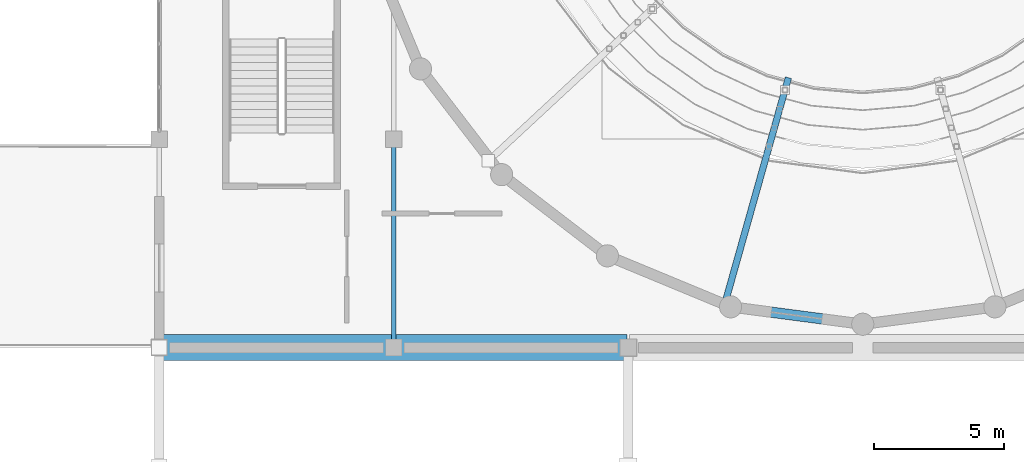
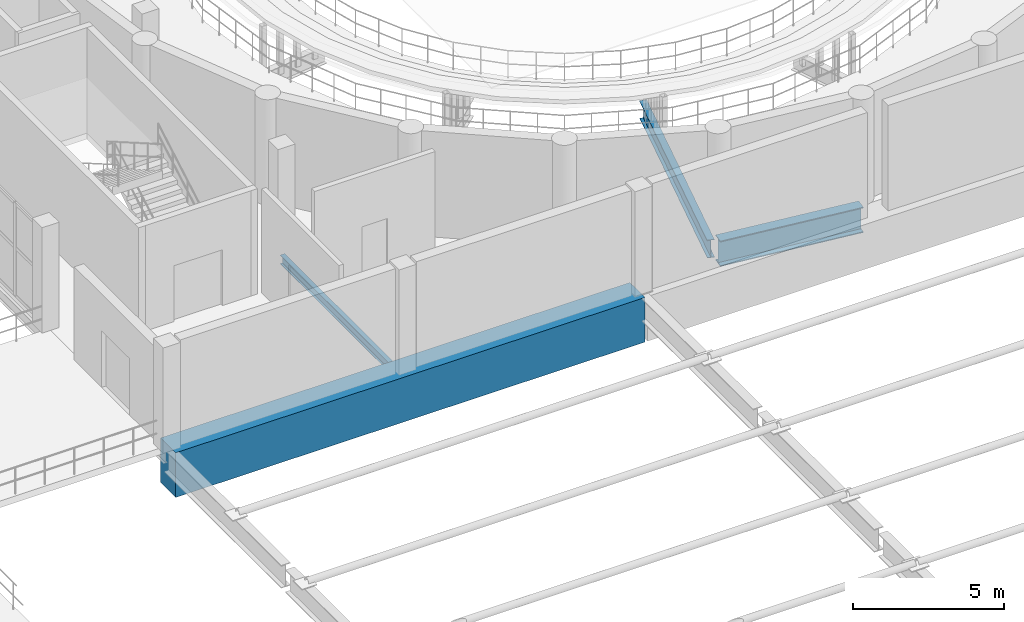
# One storey, part 16 of 54: 4 beams.
"""IFC4 building model written with IfcOpenShell, lengths in metres."""

from ifc_helpers import new_model, si_unit, direction, frame, origin, origin_2d, place, context, subcontext, project, spatial, rectangle, i_section, extrude, material, material_profile, profile_set, type_object, element, save


model = new_model("IFC4")

# Units and contexts
model_context = context("Model", 3, precision=1e-05, world=origin(), true_north=direction((0.0, 1.0)))
body_context = subcontext(model_context, "Body", "Model", "MODEL_VIEW")
ifc_project = project(units=[si_unit("LENGTHUNIT", "METRE"), si_unit("AREAUNIT", "SQUARE_METRE"), si_unit("VOLUMEUNIT", "CUBIC_METRE"), si_unit("PLANEANGLEUNIT", "RADIAN"), si_unit("MASSUNIT", "GRAM", prefix="KILO")], contexts=[model_context])

# Site, building, storey
site_placement = place(None, origin())
site = spatial("IfcSite", under=ifc_project, at=site_placement, CompositionType="ELEMENT")
building_placement = place(site_placement, origin())
building = spatial("IfcBuilding", under=site, at=building_placement, Name="Marnock Terrace Opera House", CompositionType="ELEMENT")
storey_placement = place(building_placement, frame((0.0, 0.0, 19.199951171875)))
storey = spatial("IfcBuildingStorey", under=building, at=storey_placement, Name="L04", CompositionType="ELEMENT", Elevation=19.199951171875)

# Beams
ifc_material_1 = material(Name="Steel Grade 350 (AS/NZS 3679.1)", Category="steel")
ifc_material_profile_1 = material_profile(ifc_material_1, i_section(OverallWidth=0.1708984375, OverallDepth=0.355712890625, WebThickness=0.00732421875, FlangeThickness=0.011474609375, FilletRadius=0.011474609375, at=origin_2d()))
ifc_profile_set_1 = profile_set([ifc_material_profile_1], Name="Steel Grade 350 (AS/NZS 3679.1)")
beam_type_1 = type_object("IfcBeamType", Name="BM-GIRD-360", PredefinedType="BEAM", material=ifc_profile_set_1)
beam_1_placement = place(storey_placement, frame((64.0, 40.050048828125, -0.427734375), z_axis=(0.0, 1.0, 0.0), x_axis=(-1.0, 0.0, 0.0)))
element("IfcBeam", 1, at=beam_1_placement, inside=storey, type_object=beam_type_1, Name="L04 girder (X=64.0, 40.0..48.0)", PredefinedType="BEAM", context=body_context, shape_type="SweptSolid", body=[
    extrude(i_section(OverallWidth=0.1708984375, OverallDepth=0.355712890625, WebThickness=0.00732421875, FlangeThickness=0.011474609375, FilletRadius=0.011474609375, at=origin_2d()), origin(), (0.0, 0.0, 1.0), 7.89990234375),
])
ifc_material_2 = material(Name="Steel Grade 350 Welded (AS/NZS 3679.2)", Category="steel")
ifc_material_profile_2 = material_profile(ifc_material_2, i_section(OverallWidth=0.25, OverallDepth=0.699951171875, WebThickness=0.011962890625, FlangeThickness=0.02001953125, at=origin_2d()))
ifc_profile_set_2 = profile_set([ifc_material_profile_2], Name="Steel Grade 350 Welded (AS/NZS 3679.2)")
beam_type_2 = type_object("IfcBeamType", Name="BM-RAKER-700", PredefinedType="BEAM", material=ifc_profile_set_2)
beam_2_placement = place(storey_placement, frame((79.142578125, 50.34423828125, -1.14990234375), z_axis=(-0.270420407323, -0.961096752439, 0.056265760049), x_axis=(0.962621711454, -0.270849479668, 0.0)))
element("IfcBeam", 2, at=beam_2_placement, inside=storey, type_object=beam_type_2, Name="L04 Auditorium raker girder 4", PredefinedType="BEAM", context=body_context, shape_type="SweptSolid", body=[
    extrude(i_section(OverallWidth=0.25, OverallDepth=0.699951171875, WebThickness=0.011962890625, FlangeThickness=0.02001953125, at=origin_2d()), origin(), (0.0, 0.0, 1.0), 9.064208984375),
])
ifc_material_profile_3 = material_profile(ifc_material_2, i_section(OverallWidth=0.39990234375, OverallDepth=1.02392578125, WebThickness=0.01611328125, FlangeThickness=0.035888671875, at=origin_2d()))
ifc_profile_set_3 = profile_set([ifc_material_profile_3], Name="Steel Grade 350 Welded (AS/NZS 3679.2)")
beam_type_3 = type_object("IfcBeamType", Name="BM-XFER-1000", PredefinedType="BEAM", material=ifc_profile_set_3)
beam_3_placement = place(storey_placement, frame((76.927001953125, 41.568115234375, -0.761962890625), z_axis=(0.99143625958, -0.130591512704, 0.0), x_axis=(0.130591512704, 0.99143625958, 0.0)))
element("IfcBeam", 3, at=beam_3_placement, inside=storey, type_object=beam_type_3, Name="Drum grand-foyer portal transfer girder 17", PredefinedType="BEAM", context=body_context, shape_type="SweptSolid", body=[
    extrude(i_section(OverallWidth=0.39990234375, OverallDepth=1.02392578125, WebThickness=0.01611328125, FlangeThickness=0.035888671875, at=origin_2d()), origin(), (0.0, 0.0, 1.0), 5.11669921875),
])
ifc_material_3 = material(Name="Concrete N50 (f'c = 50 MPa)", Category="concrete")
ifc_material_profile_4 = material_profile(ifc_material_3, rectangle(XDim=1.0, YDim=1.800048828125, at=origin_2d()))
ifc_profile_set_4 = profile_set([ifc_material_profile_4], Name="Concrete N50 (f'c = 50 MPa)")
beam_type_4 = type_object("IfcBeamType", Name="BM-XFER-RC1000", PredefinedType="BEAM", material=ifc_profile_set_4)
beam_4_placement = place(storey_placement, frame((55.050048828125, 40.0, -0.89990234375), z_axis=(1.0, 0.0, 0.0), x_axis=(0.0, 1.0, 0.0)))
element("IfcBeam", 4, at=beam_4_placement, inside=storey, type_object=beam_type_4, Name="Barrel vault 1 north end transfer beam", PredefinedType="BEAM", context=body_context, shape_type="SweptSolid", body=[
    extrude(rectangle(XDim=1.0, YDim=1.800048828125, at=origin_2d()), origin(), (0.0, 0.0, 1.0), 17.89990234375),
])

save(model, "model.ifc")
